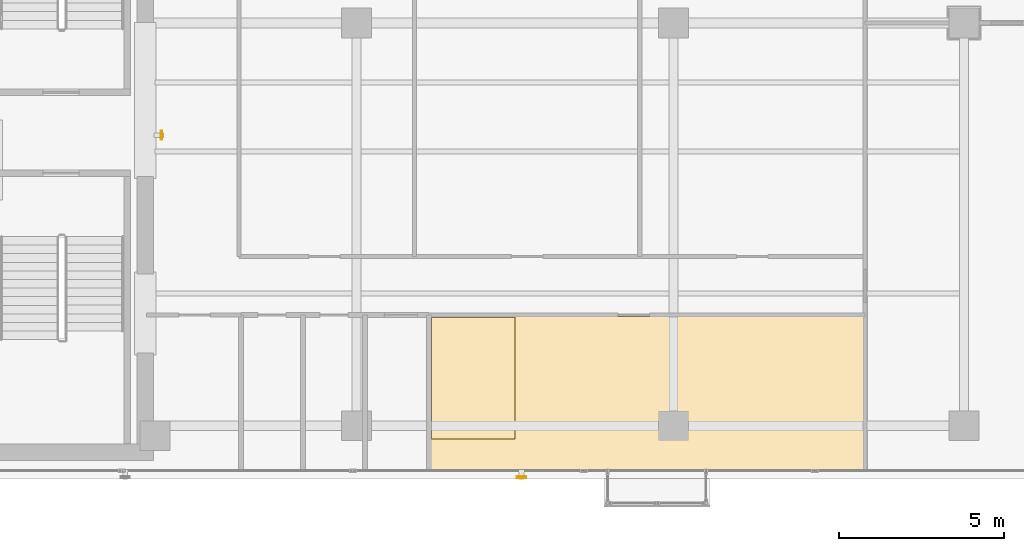
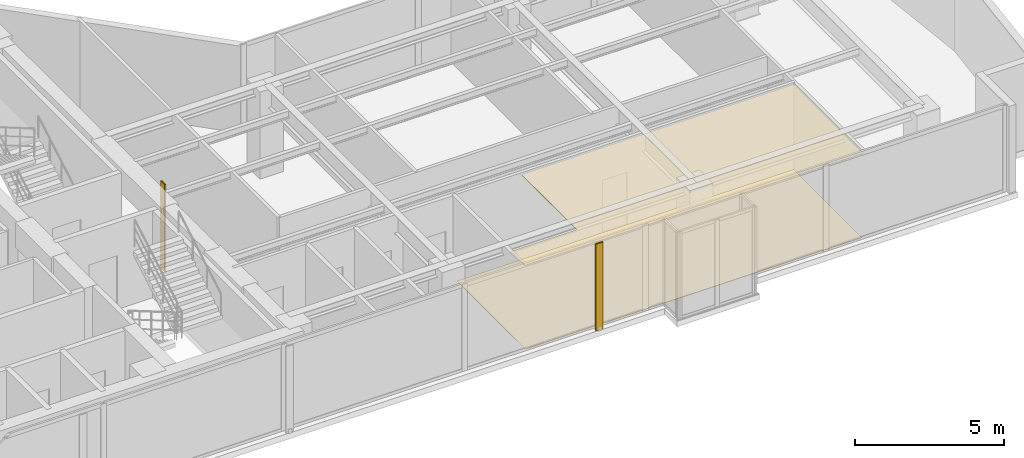
# One storey, part 21 of 24: 2 coverings, 2 shading devices.
"""IFC4 building model written with IfcOpenShell, lengths in metres."""

import ifcopenshell
import ifcopenshell.guid

model = None  # the IFC model being written
_history = None  # IfcOwnerHistory: only IFC2X3 demands one
_inside = {}  # id of a spatial element -> (the spatial element, [elements in it])
_under = {}  # id of a project, library or spatial element -> (it, [spatial elements below it])
_declared = {}  # id of a project -> (the project, [libraries it declares])
_typed = {}  # id of a type object -> (the type object, [elements of that type])
_made_of = {}  # id of a material, layer set ... -> (it, [elements and type objects made of it])


def new_model(schema):
    """Start an empty IFC model of exactly this schema.

    Asked for "IFC4X3", IfcOpenShell would pick the latest addendum, in which some entities
    have other attributes; the version numbers below select the first issue.
    IFC2X3 requires an IfcOwnerHistory on every rooted entity: one is made here for all.
    """
    global model, _history
    if schema == "IFC4X3":
        model = ifcopenshell.file(schema_version=(4, 3, 0, 0))
    else:
        model = ifcopenshell.file(schema=schema)
    _inside.clear()
    _under.clear()
    _declared.clear()
    _typed.clear()
    _made_of.clear()
    _history = None
    if model.schema == "IFC2X3":
        org = make("IfcOrganization", Name="unknown")
        user = make(
            "IfcPersonAndOrganization",
            ThePerson=make("IfcPerson", FamilyName="unknown"),
            TheOrganization=org,
        )
        app = make(
            "IfcApplication",
            ApplicationDeveloper=org,
            Version="unknown",
            ApplicationFullName="unknown",
            ApplicationIdentifier="unknown",
        )
        _history = make(
            "IfcOwnerHistory",
            OwningUser=user,
            OwningApplication=app,
            ChangeAction="ADDED",
            CreationDate=0,
        )
    return model


def make(cls, **values):
    """One entity of the class cls with the attributes given. An attribute that is None is left unset."""
    return model.create_entity(
        cls, **{name: value for name, value in values.items() if value is not None}
    )


def rooted(cls, **values):
    """An entity with a GlobalId (a new one), such as an element, a storey or a relation."""
    return make(cls, GlobalId=ifcopenshell.guid.new(), OwnerHistory=_history, **values)


def si_unit(unit_type, name, prefix=None):
    """IfcSIUnit, for example si_unit("LENGTHUNIT", "METRE", prefix="MILLI")."""
    return make("IfcSIUnit", UnitType=unit_type, Prefix=prefix, Name=name)


def assignment(units):
    """IfcUnitAssignment: the units of a project."""
    return None if units is None else make("IfcUnitAssignment", Units=units)


def point(xyz):
    """IfcCartesianPoint."""
    return None if xyz is None else make("IfcCartesianPoint", Coordinates=xyz)


def direction(xyz):
    """IfcDirection."""
    return None if xyz is None else make("IfcDirection", DirectionRatios=xyz)


def frame(location, z_axis=None, x_axis=None):
    """IfcAxis2Placement3D, a coordinate frame: its origin and axes. An axis left out is left unset."""
    return make(
        "IfcAxis2Placement3D",
        Location=point(location),
        Axis=direction(z_axis),
        RefDirection=direction(x_axis),
    )


def frame_2d(location, x_axis=None):
    """IfcAxis2Placement2D, a coordinate frame in the plane: its origin and x axis."""
    return make(
        "IfcAxis2Placement2D", Location=point(location), RefDirection=direction(x_axis)
    )


def origin():
    """The frame at (0, 0, 0) with its axes left unset."""
    return frame((0.0, 0.0, 0.0))


def origin_2d():
    """The frame at (0, 0) in the plane with its x axis left unset."""
    return frame_2d((0.0, 0.0))


def place(relative_to, where):
    """IfcLocalPlacement: puts the frame where relative to a parent placement (None: the world)."""
    return make(
        "IfcLocalPlacement", PlacementRelTo=relative_to, RelativePlacement=where
    )


def context(
    kind, dimensions, precision=None, world=None, true_north=None, identifier=None
):
    """IfcGeometricRepresentationContext, for example the 3D "Model" context."""
    return make(
        "IfcGeometricRepresentationContext",
        ContextIdentifier=identifier,
        ContextType=kind,
        CoordinateSpaceDimension=dimensions,
        Precision=precision,
        WorldCoordinateSystem=world,
        TrueNorth=true_north,
    )


def subcontext(parent, identifier, kind, view, scale=None):
    """IfcGeometricRepresentationSubContext, for example "Body" below "Model"."""
    return make(
        "IfcGeometricRepresentationSubContext",
        ContextIdentifier=identifier,
        ContextType=kind,
        ParentContext=parent,
        TargetScale=scale,
        TargetView=view,
    )


def project(units=None, contexts=None):
    """IfcProject with its units and contexts."""
    return rooted(
        "IfcProject",
        Name="project",
        RepresentationContexts=contexts,
        UnitsInContext=assignment(units),
    )


def spatial(cls, under=None, at=None, **own):
    """A site, building, storey or space (cls), placed at a placement, below another one or the project."""
    s = rooted(cls, ObjectPlacement=at, **own)
    if under is not None:
        _under.setdefault(under.id(), (under, []))[1].append(s)
    return s


def polyline(points):
    """IfcPolyline through the points."""
    return make("IfcPolyline", Points=[point(p) for p in points])


def profile(cls, at=None, kind="AREA", **sizes):
    """A parametric profile (cls). Its sizes go by their IFC names, for example OverallWidth=200.0."""
    return make(cls, ProfileType=kind, Position=at, **sizes)


def hollow_rectangle(**sizes):
    """IfcRectangleHollowProfileDef."""
    return profile("IfcRectangleHollowProfileDef", **sizes)


def outline(outer, holes=None, kind="AREA"):
    """IfcArbitraryClosedProfileDef: a profile drawn as a closed curve; with holes, ...WithVoids."""
    if holes is None:
        return make("IfcArbitraryClosedProfileDef", ProfileType=kind, OuterCurve=outer)
    return make(
        "IfcArbitraryProfileDefWithVoids",
        ProfileType=kind,
        OuterCurve=outer,
        InnerCurves=holes,
    )


def extrude(swept, where, along, depth):
    """IfcExtrudedAreaSolid: the profile swept, set in the frame where, extruded along a direction by depth."""
    return make(
        "IfcExtrudedAreaSolid",
        SweptArea=swept,
        Position=where,
        ExtrudedDirection=direction(along),
        Depth=depth,
    )


def shape(context_of_items, identifier, shape_type, items):
    """IfcShapeRepresentation: the items that make up one representation, for example the "Body"."""
    return make(
        "IfcShapeRepresentation",
        ContextOfItems=context_of_items,
        RepresentationIdentifier=identifier,
        RepresentationType=shape_type,
        Items=items,
    )


def material(Name=None, Category=None):
    """IfcMaterial."""
    return make("IfcMaterial", Name=Name, Category=Category)


def layer(
    of_material, thickness, ventilated=None, Name=None, Category=None, Priority=None
):
    """IfcMaterialLayer: one layer of a wall or slab, of a material (None: an air gap)."""
    return make(
        "IfcMaterialLayer",
        Material=of_material,
        LayerThickness=thickness,
        IsVentilated=ventilated,
        Name=Name,
        Category=Category,
        Priority=Priority,
    )


def layer_set(layers, Name=None):
    """IfcMaterialLayerSet."""
    return make("IfcMaterialLayerSet", MaterialLayers=layers, LayerSetName=Name)


def material_profile(
    of_material, cross_section, Name=None, Category=None, Priority=None
):
    """IfcMaterialProfile: a cross section and its material."""
    return make(
        "IfcMaterialProfile",
        Name=Name,
        Material=of_material,
        Profile=cross_section,
        Priority=Priority,
        Category=Category,
    )


def profile_set(profiles, Name=None, composite=None):
    """IfcMaterialProfileSet."""
    return make(
        "IfcMaterialProfileSet",
        Name=Name,
        MaterialProfiles=profiles,
        CompositeProfile=composite,
    )


def made_of(thing, what):
    """Note that an element or type object is made of a material, layer set ...; save() writes the relation."""
    if what is not None:
        _made_of.setdefault(what.id(), (what, []))[1].append(thing)
    return thing


def type_object(cls, material=None, **own):
    """A type object (cls), such as IfcWallType, which elements share."""
    return made_of(rooted(cls, **own), material)


def element(
    cls,
    number,
    at=None,
    inside=None,
    cuts=None,
    type_object=None,
    material=None,
    context=None,
    identifier="Body",
    shape_type=None,
    held_by="IfcProductDefinitionShape",
    body=None,
    shapes=None,
    **own,
):
    """One element of the class cls, such as IfcWall. Its Tag is "e" and its number.

    at: its placement. inside: the storey or other place that contains it. cuts: it is an
    opening in that element (IfcRelVoidsElement). A single representation is given by context,
    identifier, shape_type and body (its items); several are given by shapes. held_by: the class
    of the entity that holds the representations. save() writes the other relations.
    """
    e = rooted(cls, Tag="e%d" % number, ObjectPlacement=at, **own)
    if body is not None:
        shapes = [shape(context, identifier, shape_type, body)]
    if shapes is not None:
        e.Representation = make(held_by, Representations=shapes)
    if inside is not None:
        _inside.setdefault(inside.id(), (inside, []))[1].append(e)
    if cuts is not None:
        rooted(
            "IfcRelVoidsElement", RelatingBuildingElement=cuts, RelatedOpeningElement=e
        )
    if type_object is not None:
        _typed.setdefault(type_object.id(), (type_object, []))[1].append(e)
    return made_of(e, material)


def aggregate(whole, parts):
    """IfcRelAggregates: a whole, such as a stair, and the parts it consists of."""
    return rooted("IfcRelAggregates", RelatingObject=whole, RelatedObjects=parts)


def save(model, path):
    """Write the relations noted so far, then the file.

    IfcRelAggregates (storeys below a building ...), IfcRelContainedInSpatialStructure (elements
    in a storey), IfcRelDefinesByType, IfcRelAssociatesMaterial and IfcRelDeclares: one each for
    every whole, place, type object, material and project.
    """
    for whole, parts in _under.values():
        aggregate(whole, parts)
    for where, things in _inside.values():
        rooted(
            "IfcRelContainedInSpatialStructure",
            RelatedElements=things,
            RelatingStructure=where,
        )
    for kind, things in _typed.values():
        rooted("IfcRelDefinesByType", RelatedObjects=things, RelatingType=kind)
    for what, things in _made_of.values():
        rooted("IfcRelAssociatesMaterial", RelatedObjects=things, RelatingMaterial=what)
    for by, libraries in _declared.values():
        rooted("IfcRelDeclares", RelatingContext=by, RelatedDefinitions=libraries)
    model.write(path)


model = new_model("IFC4")

# Units and contexts
model_context = context("Model", 3, precision=1e-05, world=origin(), true_north=direction((0.0, 1.0)))
body_context = subcontext(model_context, "Body", "Model", "MODEL_VIEW")
ifc_project = project(units=[si_unit("LENGTHUNIT", "METRE"), si_unit("AREAUNIT", "SQUARE_METRE"), si_unit("VOLUMEUNIT", "CUBIC_METRE"), si_unit("PLANEANGLEUNIT", "RADIAN"), si_unit("MASSUNIT", "GRAM", prefix="KILO")], contexts=[model_context])

# Site, building, storey
site_placement = place(None, origin())
site = spatial("IfcSite", under=ifc_project, at=site_placement, CompositionType="ELEMENT")
building_placement = place(site_placement, origin())
building = spatial("IfcBuilding", under=site, at=building_placement, Name="Kolvaren Waterfront Exchange", CompositionType="ELEMENT")
storey_placement = place(building_placement, frame((0.0, 0.0, 285.60009765625)))
storey = spatial("IfcBuildingStorey", under=building, at=storey_placement, Name="L73", CompositionType="ELEMENT", Elevation=285.60009765625)

# Covering
ifc_material_1 = material(Name="Mineral fibre acoustic ceiling tile")
ifc_layer_1 = layer(ifc_material_1, 0.02490234375, Name="Mineral fibre acoustic ceiling tile")
ifc_layer_set_1 = layer_set([ifc_layer_1], Name="Mineral fibre acoustic ceiling tile")
covering_type_1 = type_object("IfcCoveringType", Name="ARC-CEIL-ACOUSTIC-25", PredefinedType="CEILING", material=ifc_layer_set_1)
covering_1_placement = place(storey_placement, frame((0.0, 0.0, 3.44482421875)))
element("IfcCovering", 1, at=covering_1_placement, inside=storey, type_object=covering_type_1, Name="L73 acoustic suspended ceiling 1", PredefinedType="CEILING", context=body_context, shape_type="SweptSolid", body=[
    extrude(outline(polyline([(42.554931640625, 3.844970703125), (42.554931640625, 8.514892578125), (32.0, 8.514892578125), (32.0, 4.800048828125), (29.445068359375, 4.800048828125), (29.445068359375, 3.844970703125), (42.554931640625, 3.844970703125)])), origin(), (0.0, 0.0, 1.0), 0.025146484375),
])

# Shading devices
ifc_material_2 = material(Name="Anodised bronze aluminium 6063-T6", Category="aluminium")
ifc_material_profile = material_profile(ifc_material_2, hollow_rectangle(XDim=0.054931640625, YDim=0.280029296875, WallThickness=0.00439453125, at=origin_2d()), Name="BRZ-FIN-280x55x4.5")
ifc_profile_set = profile_set([ifc_material_profile], Name="Anodised bronze aluminium 6063-T6")
shading_device_type = type_object("IfcShadingDeviceType", Name="ARC-FIN-280", PredefinedType="USERDEFINED", material=ifc_profile_set)
for number, where, z_axis, x_axis, name in (
    (2, (32.199951171875, 3.639892578125, 0.0), (0.0, 0.0, 1.0), (0.0, -1.0, 0.0), "L73 anodised bronze solar shading fin FIN-L73-S3"),
    (3, (21.296875, 14.0, 0.0), (0.0, 0.0, 1.0), (1.0, 0.0, 0.0), "L73 anodised bronze solar shading fin FIN-L73-E1"),
):
    element("IfcShadingDevice", number, at=place(storey_placement, frame(where, z_axis=z_axis, x_axis=x_axis)), inside=storey, type_object=shading_device_type, Name=name, ObjectType="SOLAR FIN", PredefinedType="USERDEFINED", context=body_context, shape_type="SweptSolid", body=[
        extrude(hollow_rectangle(XDim=0.054931640625, YDim=0.280029296875, WallThickness=0.00439453125, at=origin_2d()), origin(), (0.0, 0.0, 1.0), 3.559814453125),
    ])

# Covering
ifc_material_3 = material(Name="Slip-resistant porcelain tile")
ifc_layer_2 = layer(ifc_material_3, 0.014892578125, Name="Slip-resistant porcelain tile")
ifc_layer_set_2 = layer_set([ifc_layer_2], Name="Slip-resistant porcelain tile")
covering_type_2 = type_object("IfcCoveringType", Name="ARC-FLR-PORC-15", PredefinedType="FLOORING", material=ifc_layer_set_2)
covering_2_placement = place(storey_placement, origin())
element("IfcCovering", 4, at=covering_2_placement, inside=storey, type_object=covering_type_2, Name="L73 floor finish 1", PredefinedType="FLOORING", context=body_context, shape_type="SweptSolid", body=[
    extrude(outline(polyline([(29.47998046875, 8.47998046875), (29.47998046875, 3.8798828125), (42.52001953125, 3.8798828125), (42.52001953125, 8.47998046875), (29.47998046875, 8.47998046875)])), origin(), (0.0, 0.0, 1.0), 0.014892578125),
])

save(model, "model.ifc")
